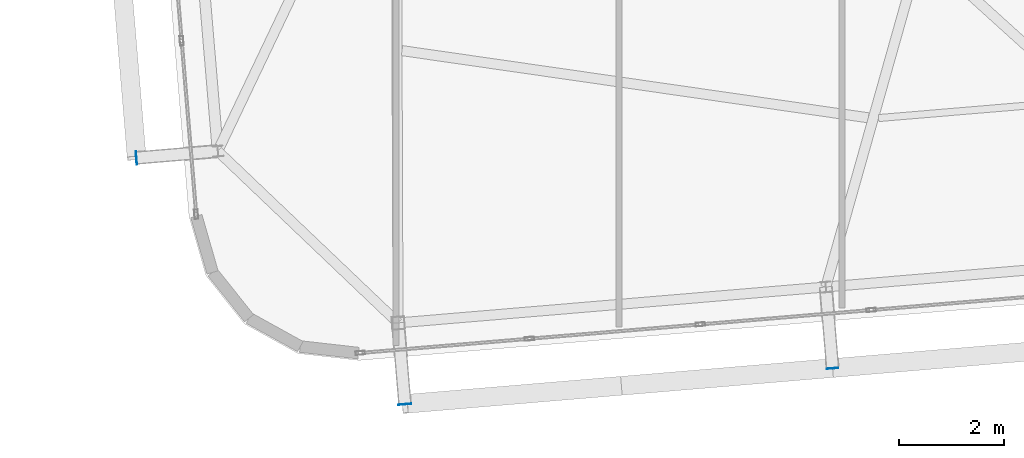
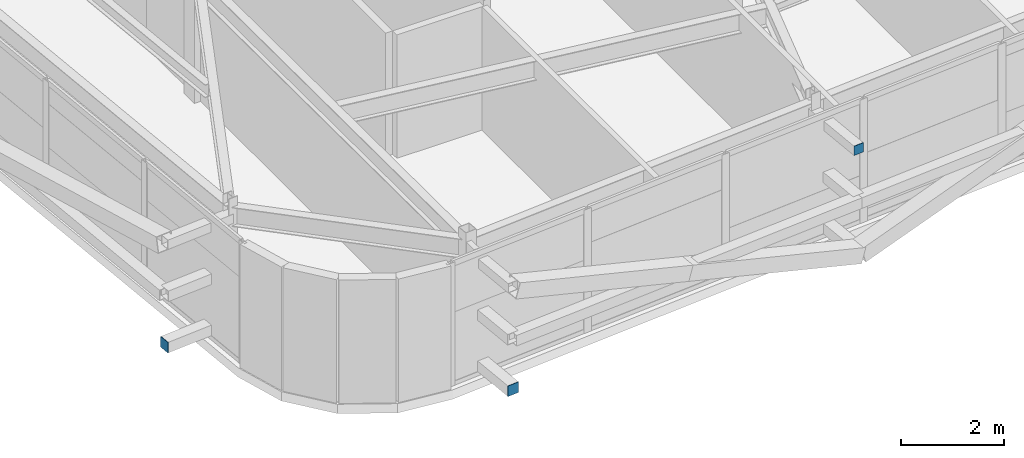
# One storey, part 34 of 46: 3 plates.
"""IFC4 building model written with IfcOpenShell, lengths in metres."""

import ifcopenshell
import ifcopenshell.guid

model = None  # the IFC model being written
_history = None  # IfcOwnerHistory: only IFC2X3 demands one
_inside = {}  # id of a spatial element -> (the spatial element, [elements in it])
_under = {}  # id of a project, library or spatial element -> (it, [spatial elements below it])
_declared = {}  # id of a project -> (the project, [libraries it declares])
_typed = {}  # id of a type object -> (the type object, [elements of that type])
_made_of = {}  # id of a material, layer set ... -> (it, [elements and type objects made of it])


def new_model(schema):
    """Start an empty IFC model of exactly this schema.

    Asked for "IFC4X3", IfcOpenShell would pick the latest addendum, in which some entities
    have other attributes; the version numbers below select the first issue.
    IFC2X3 requires an IfcOwnerHistory on every rooted entity: one is made here for all.
    """
    global model, _history
    if schema == "IFC4X3":
        model = ifcopenshell.file(schema_version=(4, 3, 0, 0))
    else:
        model = ifcopenshell.file(schema=schema)
    _inside.clear()
    _under.clear()
    _declared.clear()
    _typed.clear()
    _made_of.clear()
    _history = None
    if model.schema == "IFC2X3":
        org = make("IfcOrganization", Name="unknown")
        user = make(
            "IfcPersonAndOrganization",
            ThePerson=make("IfcPerson", FamilyName="unknown"),
            TheOrganization=org,
        )
        app = make(
            "IfcApplication",
            ApplicationDeveloper=org,
            Version="unknown",
            ApplicationFullName="unknown",
            ApplicationIdentifier="unknown",
        )
        _history = make(
            "IfcOwnerHistory",
            OwningUser=user,
            OwningApplication=app,
            ChangeAction="ADDED",
            CreationDate=0,
        )
    return model


def make(cls, **values):
    """One entity of the class cls with the attributes given. An attribute that is None is left unset."""
    return model.create_entity(
        cls, **{name: value for name, value in values.items() if value is not None}
    )


def rooted(cls, **values):
    """An entity with a GlobalId (a new one), such as an element, a storey or a relation."""
    return make(cls, GlobalId=ifcopenshell.guid.new(), OwnerHistory=_history, **values)


def si_unit(unit_type, name, prefix=None):
    """IfcSIUnit, for example si_unit("LENGTHUNIT", "METRE", prefix="MILLI")."""
    return make("IfcSIUnit", UnitType=unit_type, Prefix=prefix, Name=name)


def assignment(units):
    """IfcUnitAssignment: the units of a project."""
    return None if units is None else make("IfcUnitAssignment", Units=units)


def point(xyz):
    """IfcCartesianPoint."""
    return None if xyz is None else make("IfcCartesianPoint", Coordinates=xyz)


def direction(xyz):
    """IfcDirection."""
    return None if xyz is None else make("IfcDirection", DirectionRatios=xyz)


def frame(location, z_axis=None, x_axis=None):
    """IfcAxis2Placement3D, a coordinate frame: its origin and axes. An axis left out is left unset."""
    return make(
        "IfcAxis2Placement3D",
        Location=point(location),
        Axis=direction(z_axis),
        RefDirection=direction(x_axis),
    )


def frame_2d(location, x_axis=None):
    """IfcAxis2Placement2D, a coordinate frame in the plane: its origin and x axis."""
    return make(
        "IfcAxis2Placement2D", Location=point(location), RefDirection=direction(x_axis)
    )


def origin():
    """The frame at (0, 0, 0) with its axes left unset."""
    return frame((0.0, 0.0, 0.0))


def origin_2d():
    """The frame at (0, 0) in the plane with its x axis left unset."""
    return frame_2d((0.0, 0.0))


def place(relative_to, where):
    """IfcLocalPlacement: puts the frame where relative to a parent placement (None: the world)."""
    return make(
        "IfcLocalPlacement", PlacementRelTo=relative_to, RelativePlacement=where
    )


def context(
    kind, dimensions, precision=None, world=None, true_north=None, identifier=None
):
    """IfcGeometricRepresentationContext, for example the 3D "Model" context."""
    return make(
        "IfcGeometricRepresentationContext",
        ContextIdentifier=identifier,
        ContextType=kind,
        CoordinateSpaceDimension=dimensions,
        Precision=precision,
        WorldCoordinateSystem=world,
        TrueNorth=true_north,
    )


def subcontext(parent, identifier, kind, view, scale=None):
    """IfcGeometricRepresentationSubContext, for example "Body" below "Model"."""
    return make(
        "IfcGeometricRepresentationSubContext",
        ContextIdentifier=identifier,
        ContextType=kind,
        ParentContext=parent,
        TargetScale=scale,
        TargetView=view,
    )


def project(units=None, contexts=None):
    """IfcProject with its units and contexts."""
    return rooted(
        "IfcProject",
        Name="project",
        RepresentationContexts=contexts,
        UnitsInContext=assignment(units),
    )


def spatial(cls, under=None, at=None, **own):
    """A site, building, storey or space (cls), placed at a placement, below another one or the project."""
    s = rooted(cls, ObjectPlacement=at, **own)
    if under is not None:
        _under.setdefault(under.id(), (under, []))[1].append(s)
    return s


def profile(cls, at=None, kind="AREA", **sizes):
    """A parametric profile (cls). Its sizes go by their IFC names, for example OverallWidth=200.0."""
    return make(cls, ProfileType=kind, Position=at, **sizes)


def rectangle(**sizes):
    """IfcRectangleProfileDef."""
    return profile("IfcRectangleProfileDef", **sizes)


def extrude(swept, where, along, depth):
    """IfcExtrudedAreaSolid: the profile swept, set in the frame where, extruded along a direction by depth."""
    return make(
        "IfcExtrudedAreaSolid",
        SweptArea=swept,
        Position=where,
        ExtrudedDirection=direction(along),
        Depth=depth,
    )


def shape(context_of_items, identifier, shape_type, items):
    """IfcShapeRepresentation: the items that make up one representation, for example the "Body"."""
    return make(
        "IfcShapeRepresentation",
        ContextOfItems=context_of_items,
        RepresentationIdentifier=identifier,
        RepresentationType=shape_type,
        Items=items,
    )


def source(mapping_origin, context_of_items, identifier, shape_type, items):
    """IfcRepresentationMap: a shape defined once, which mapped items show again and again."""
    return make(
        "IfcRepresentationMap",
        MappingOrigin=mapping_origin,
        MappedRepresentation=shape(context_of_items, identifier, shape_type, items),
    )


def transform(
    local_origin,
    x_axis=None,
    y_axis=None,
    z_axis=None,
    scale=None,
    scale2=None,
    scale3=None,
    uniform=True,
):
    """IfcCartesianTransformationOperator3D, or its non-uniform kind. x_axis, y_axis, z_axis: its Axis1, 2, 3."""
    if uniform:
        return make(
            "IfcCartesianTransformationOperator3D",
            Axis1=direction(x_axis),
            Axis2=direction(y_axis),
            LocalOrigin=point(local_origin),
            Scale=scale,
            Axis3=direction(z_axis),
        )
    return make(
        "IfcCartesianTransformationOperator3DnonUniform",
        Axis1=direction(x_axis),
        Axis2=direction(y_axis),
        LocalOrigin=point(local_origin),
        Scale=scale,
        Axis3=direction(z_axis),
        Scale2=scale2,
        Scale3=scale3,
    )


def mapped(mapping_source, mapping_target):
    """IfcMappedItem: shows the shape of a source again, moved by a transform."""
    return make(
        "IfcMappedItem", MappingSource=mapping_source, MappingTarget=mapping_target
    )


def material(Name=None, Category=None):
    """IfcMaterial."""
    return make("IfcMaterial", Name=Name, Category=Category)


def layer(
    of_material, thickness, ventilated=None, Name=None, Category=None, Priority=None
):
    """IfcMaterialLayer: one layer of a wall or slab, of a material (None: an air gap)."""
    return make(
        "IfcMaterialLayer",
        Material=of_material,
        LayerThickness=thickness,
        IsVentilated=ventilated,
        Name=Name,
        Category=Category,
        Priority=Priority,
    )


def layer_set(layers, Name=None):
    """IfcMaterialLayerSet."""
    return make("IfcMaterialLayerSet", MaterialLayers=layers, LayerSetName=Name)


def made_of(thing, what):
    """Note that an element or type object is made of a material, layer set ...; save() writes the relation."""
    if what is not None:
        _made_of.setdefault(what.id(), (what, []))[1].append(thing)
    return thing


def type_object(cls, material=None, **own):
    """A type object (cls), such as IfcWallType, which elements share."""
    return made_of(rooted(cls, **own), material)


def element(
    cls,
    number,
    at=None,
    inside=None,
    cuts=None,
    type_object=None,
    material=None,
    context=None,
    identifier="Body",
    shape_type=None,
    held_by="IfcProductDefinitionShape",
    body=None,
    shapes=None,
    **own,
):
    """One element of the class cls, such as IfcWall. Its Tag is "e" and its number.

    at: its placement. inside: the storey or other place that contains it. cuts: it is an
    opening in that element (IfcRelVoidsElement). A single representation is given by context,
    identifier, shape_type and body (its items); several are given by shapes. held_by: the class
    of the entity that holds the representations. save() writes the other relations.
    """
    e = rooted(cls, Tag="e%d" % number, ObjectPlacement=at, **own)
    if body is not None:
        shapes = [shape(context, identifier, shape_type, body)]
    if shapes is not None:
        e.Representation = make(held_by, Representations=shapes)
    if inside is not None:
        _inside.setdefault(inside.id(), (inside, []))[1].append(e)
    if cuts is not None:
        rooted(
            "IfcRelVoidsElement", RelatingBuildingElement=cuts, RelatedOpeningElement=e
        )
    if type_object is not None:
        _typed.setdefault(type_object.id(), (type_object, []))[1].append(e)
    return made_of(e, material)


def aggregate(whole, parts):
    """IfcRelAggregates: a whole, such as a stair, and the parts it consists of."""
    return rooted("IfcRelAggregates", RelatingObject=whole, RelatedObjects=parts)


def save(model, path):
    """Write the relations noted so far, then the file.

    IfcRelAggregates (storeys below a building ...), IfcRelContainedInSpatialStructure (elements
    in a storey), IfcRelDefinesByType, IfcRelAssociatesMaterial and IfcRelDeclares: one each for
    every whole, place, type object, material and project.
    """
    for whole, parts in _under.values():
        aggregate(whole, parts)
    for where, things in _inside.values():
        rooted(
            "IfcRelContainedInSpatialStructure",
            RelatedElements=things,
            RelatingStructure=where,
        )
    for kind, things in _typed.values():
        rooted("IfcRelDefinesByType", RelatedObjects=things, RelatingType=kind)
    for what, things in _made_of.values():
        rooted("IfcRelAssociatesMaterial", RelatedObjects=things, RelatingMaterial=what)
    for by, libraries in _declared.values():
        rooted("IfcRelDeclares", RelatingContext=by, RelatedDefinitions=libraries)
    model.write(path)


model = new_model("IFC4")

# Units and contexts
model_context = context("Model", 3, precision=1e-05, world=origin(), true_north=direction((0.0, 1.0)))
body_context = subcontext(model_context, "Body", "Model", "MODEL_VIEW")
ifc_project = project(units=[si_unit("LENGTHUNIT", "METRE"), si_unit("AREAUNIT", "SQUARE_METRE"), si_unit("VOLUMEUNIT", "CUBIC_METRE"), si_unit("PLANEANGLEUNIT", "RADIAN"), si_unit("MASSUNIT", "GRAM", prefix="KILO")], contexts=[model_context])

# Site, building, storey
site_placement = place(None, origin())
site = spatial("IfcSite", under=ifc_project, at=site_placement, CompositionType="ELEMENT")
building_placement = place(site_placement, origin())
building = spatial("IfcBuilding", under=site, at=building_placement, Name="Taldren Reach Tower", CompositionType="ELEMENT")
storey_placement = place(building_placement, frame((0.0, 0.0, 194.60009765625)))
storey = spatial("IfcBuildingStorey", under=building, at=storey_placement, Name="L59", CompositionType="ELEMENT", Elevation=194.60009765625)

# Plates
ifc_material_1 = material(Name="Steel Gr 350 (C350L0)", Category="steel")
ifc_layer_1 = layer(ifc_material_1, 0.011962890625)
ifc_layer_set_1 = layer_set([ifc_layer_1], Name="Steel Gr 350 (C350L0)")
plate_type_1 = type_object("IfcPlateType", Name="PL-CAP-250", PredefinedType="SHEET", material=ifc_layer_set_1)
shared_shape_1 = source(origin(), body_context, "Body", "SweptSolid", [
    extrude(rectangle(XDim=0.25, YDim=0.011962890625, at=origin_2d()), origin(), (0.0, 0.0, 1.0), 0.25),
])
plate_1_placement = place(storey_placement, frame((18.169921875, 0.54345703125, 0.094970703125), z_axis=(0.0, 0.0, 1.0), x_axis=(0.99649285925, 0.083677843332, 0.0)))
element("IfcPlate", 1, at=plate_1_placement, inside=storey, type_object=plate_type_1, Name="Tie strut end cap plate B4-S1 L59", PredefinedType="SHEET", context=body_context, shape_type="MappedRepresentation", body=[
    mapped(shared_shape_1, transform((0.0, 0.0, 0.0), scale=1.0)),
])
shared_shape_2 = source(origin(), body_context, "Body", "SweptSolid", [
    extrude(rectangle(XDim=0.011962890625, YDim=0.25, at=origin_2d()), origin(), (0.0, 0.0, 1.0), 0.25),
])
plate_2_placement = place(storey_placement, frame((13.052978515625, 5.23779296875, 0.094970703125), z_axis=(0.0, 0.0, 1.0), x_axis=(0.99649285925, 0.083677843332, 0.0)))
element("IfcPlate", 2, at=plate_2_placement, inside=storey, type_object=plate_type_1, Name="Tie strut end cap plate B4-W1 L59", PredefinedType="SHEET", context=body_context, shape_type="MappedRepresentation", body=[
    mapped(shared_shape_2, transform((0.0, 0.0, 0.0), scale=1.0)),
])
ifc_material_2 = material(Name="Steel Gr 450 (C450L0)", Category="steel")
ifc_layer_2 = layer(ifc_material_2, 0.011962890625)
ifc_layer_set_2 = layer_set([ifc_layer_2], Name="Steel Gr 450 (C450L0)")
plate_type_2 = type_object("IfcPlateType", Name="PL-CAP-220", PredefinedType="SHEET", material=ifc_layer_set_2)
shared_shape_3 = source(origin(), body_context, "Body", "SweptSolid", [
    extrude(rectangle(XDim=0.219970703125, YDim=0.011962890625, at=origin_2d()), origin(), (0.0, 0.0, 1.0), 0.219970703125),
])
plate_3_placement = place(storey_placement, frame((26.321044921875, 1.22802734375, 2.5400390625), z_axis=(0.0, 0.0, 1.0), x_axis=(0.99649285925, 0.083677843332, 0.0)))
element("IfcPlate", 3, at=plate_3_placement, inside=storey, type_object=plate_type_2, Name="Tie strut end cap plate B4-S2 L59", PredefinedType="SHEET", context=body_context, shape_type="MappedRepresentation", body=[
    mapped(shared_shape_3, transform((0.0, 0.0, 0.0), scale=1.0)),
])

save(model, "model.ifc")
